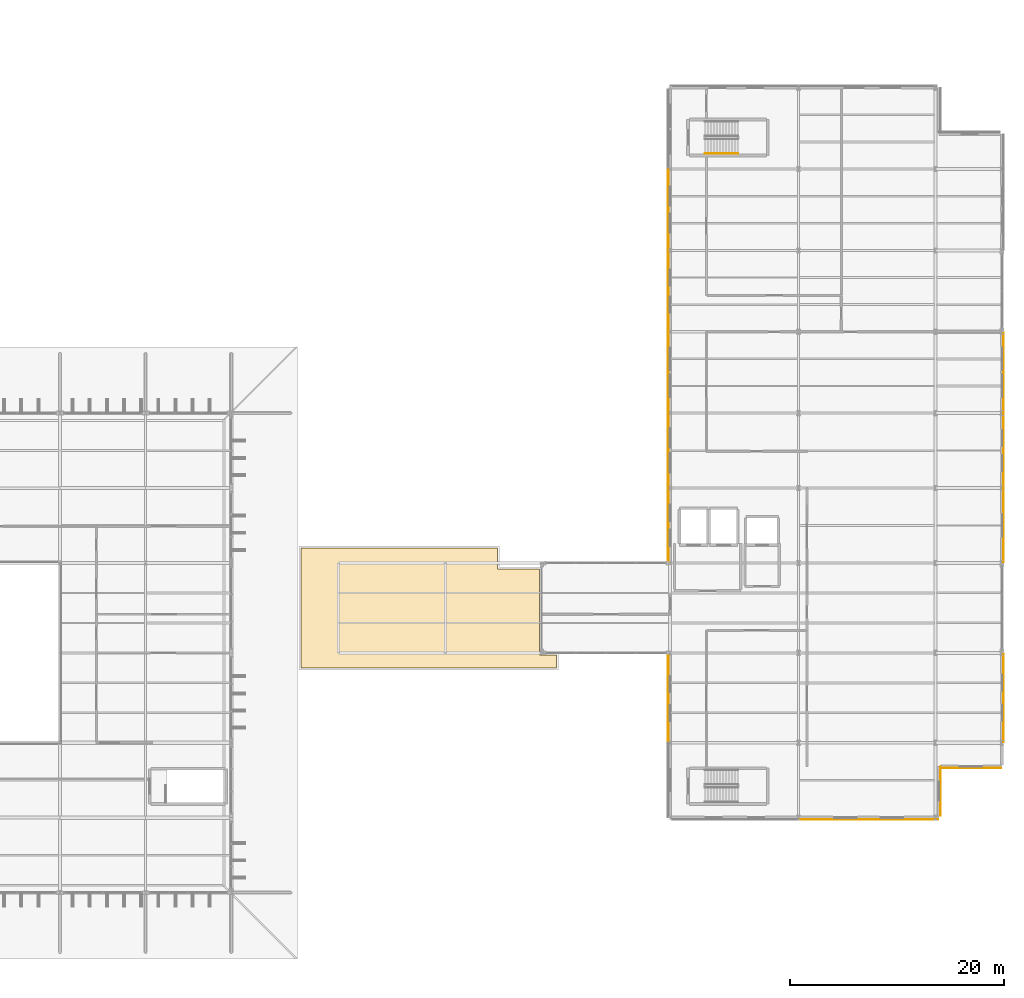
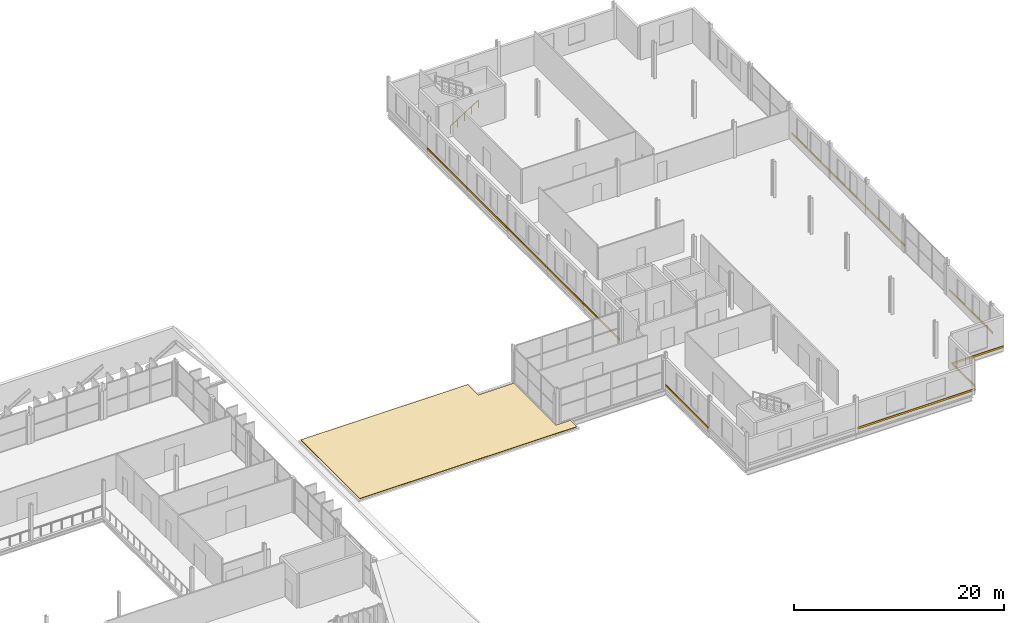
# One storey, part 92 of 93: 14 coverings, 1 railing.
"""IFC4 building model written with IfcOpenShell, lengths in metres."""

from ifc_helpers import new_model, si_unit, direction, frame, origin, origin_2d, place, context, subcontext, project, spatial, polyline, rectangle, circle, outline, extrude, material, layer, layer_set, type_object, element, save


model = new_model("IFC4")

# Units and contexts
model_context = context("Model", 3, precision=1e-05, world=origin(), true_north=direction((0.0, 1.0)))
body_context = subcontext(model_context, "Body", "Model", "MODEL_VIEW")
ifc_project = project(units=[si_unit("LENGTHUNIT", "METRE"), si_unit("AREAUNIT", "SQUARE_METRE"), si_unit("VOLUMEUNIT", "CUBIC_METRE"), si_unit("PLANEANGLEUNIT", "RADIAN"), si_unit("MASSUNIT", "GRAM", prefix="KILO")], contexts=[model_context])

# Site, building, storey
site_placement = place(None, origin())
site = spatial("IfcSite", under=ifc_project, at=site_placement, CompositionType="ELEMENT")
building_placement = place(site_placement, origin())
building = spatial("IfcBuilding", under=site, at=building_placement, Name="Vekula Escarpment Museum", CompositionType="ELEMENT")
storey_placement = place(building_placement, frame((0.0, 0.0, 22.199951171875)))
storey = spatial("IfcBuildingStorey", under=building, at=storey_placement, Name="L05", CompositionType="ELEMENT", Elevation=22.199951171875)

# Coverings
ifc_material_1 = material(Name="Polychrome limestone almasik string-course band", Category="masonry")
ifc_layer_1 = layer(ifc_material_1, 0.06005859375)
ifc_layer_set_1 = layer_set([ifc_layer_1], Name="Polychrome limestone almasik string-course band")
covering_type_1 = type_object("IfcCoveringType", Name="COV-ALM-BAND", PredefinedType="CLADDING", material=ifc_layer_set_1)
covering_1_placement = place(storey_placement, frame((166.833984375, 63.71044921875, 0.41015625), z_axis=(0.0, 0.0, 1.0), x_axis=(0.0, 1.0, 0.0)))
element("IfcCovering", 1, at=covering_1_placement, inside=storey, type_object=covering_type_1, Name="Almasik Stone String Course L05-0649", PredefinedType="CLADDING", context=body_context, shape_type="SweptSolid", body=[
    extrude(rectangle(XDim=8.10107421875, YDim=0.06005859375, at=origin_2d()), origin(), (0.0, 0.0, 1.0), 0.219970703125),
])
covering_2_placement = place(storey_placement, frame((185.554931640625, 52.43408203125, 0.41015625), z_axis=(0.0, 0.0, 1.0), x_axis=(1.0, 0.0, 0.0)))
element("IfcCovering", 2, at=covering_2_placement, inside=storey, type_object=covering_type_1, Name="Almasik Stone String Course L05-0652", PredefinedType="CLADDING", context=body_context, shape_type="SweptSolid", body=[
    extrude(rectangle(XDim=12.989990234375, YDim=0.06005859375, at=origin_2d()), origin(), (0.0, 0.0, 1.0), 0.219970703125),
])
covering_3_placement = place(storey_placement, frame((192.27587890625, 55.072021484375, 0.41015625), z_axis=(0.0, 0.0, 1.0), x_axis=(0.0, 1.0, 0.0)))
element("IfcCovering", 3, at=covering_3_placement, inside=storey, type_object=covering_type_1, Name="Almasik Stone String Course L05-0653", PredefinedType="CLADDING", context=body_context, shape_type="SweptSolid", body=[
    extrude(rectangle(XDim=4.535888671875, YDim=0.06005859375, at=origin_2d()), origin(), (0.0, 0.0, 1.0), 0.219970703125),
])
covering_4_placement = place(storey_placement, frame((195.126953125, 57.23388671875, 0.41015625), z_axis=(0.0, 0.0, 1.0), x_axis=(1.0, 0.0, 0.0)))
element("IfcCovering", 4, at=covering_4_placement, inside=storey, type_object=covering_type_1, Name="Almasik Stone String Course L05-0654", PredefinedType="CLADDING", context=body_context, shape_type="SweptSolid", body=[
    extrude(rectangle(XDim=5.6259765625, YDim=0.06005859375, at=origin_2d()), origin(), (0.0, 0.0, 1.0), 0.219970703125),
])
covering_5_placement = place(storey_placement, frame((198.166015625, 63.800048828125, 0.41015625), z_axis=(0.0, 0.0, 1.0), x_axis=(0.0, 1.0, 0.0)))
element("IfcCovering", 5, at=covering_5_placement, inside=storey, type_object=covering_type_1, Name="Almasik Stone String Course L05-0655", PredefinedType="CLADDING", context=body_context, shape_type="SweptSolid", body=[
    extrude(rectangle(XDim=8.280029296875, YDim=0.06005859375, at=origin_2d()), origin(), (0.0, 0.0, 1.0), 0.219970703125),
])
for number, where, z_axis, x_axis, name in (
    (6, (198.166015625, 79.89990234375, 0.41015625), (0.0, 0.0, 1.0), (0.0, 1.0, 0.0), "Almasik Stone String Course L05-0656"),
    (7, (198.166015625, 86.89990234375, 0.41015625), (0.0, 0.0, 1.0), (0.0, 1.0, 0.0), "Almasik Stone String Course L05-0657"),
):
    element("IfcCovering", number, at=place(storey_placement, frame(where, z_axis=z_axis, x_axis=x_axis)), inside=storey, type_object=covering_type_1, Name=name, PredefinedType="CLADDING", context=body_context, shape_type="SweptSolid", body=[
        extrude(rectangle(XDim=6.8798828125, YDim=0.06005859375, at=origin_2d()), origin(), (0.0, 0.0, 1.0), 0.219970703125),
    ])
for number, where, z_axis, x_axis, name in (
    (8, (198.166015625, 94.199951171875, 0.41015625), (0.0, 0.0, 1.0), (0.0, 1.0, 0.0), "Almasik Stone String Course L05-0658"),
    (9, (166.833984375, 109.39990234375, 0.41015625), (0.0, 0.0, 1.0), (0.0, 1.0, 0.0), "Almasik Stone String Course L05-0666"),
    (10, (166.833984375, 101.800048828125, 0.41015625), (0.0, 0.0, 1.0), (0.0, 1.0, 0.0), "Almasik Stone String Course L05-0667"),
    (11, (166.833984375, 94.199951171875, 0.41015625), (0.0, 0.0, 1.0), (0.0, 1.0, 0.0), "Almasik Stone String Course L05-0668"),
):
    element("IfcCovering", number, at=place(storey_placement, frame(where, z_axis=z_axis, x_axis=x_axis)), inside=storey, type_object=covering_type_1, Name=name, PredefinedType="CLADDING", context=body_context, shape_type="SweptSolid", body=[
        extrude(rectangle(XDim=7.47998046875, YDim=0.06005859375, at=origin_2d()), origin(), (0.0, 0.0, 1.0), 0.219970703125),
    ])
for number, where, z_axis, x_axis, name in (
    (12, (166.833984375, 86.89990234375, 0.41015625), (0.0, 0.0, 1.0), (0.0, 1.0, 0.0), "Almasik Stone String Course L05-0669"),
    (13, (166.833984375, 79.89990234375, 0.41015625), (0.0, 0.0, 1.0), (0.0, 1.0, 0.0), "Almasik Stone String Course L05-0670"),
):
    element("IfcCovering", number, at=place(storey_placement, frame(where, z_axis=z_axis, x_axis=x_axis)), inside=storey, type_object=covering_type_1, Name=name, PredefinedType="CLADDING", context=body_context, shape_type="SweptSolid", body=[
        extrude(rectangle(XDim=6.8798828125, YDim=0.06005859375, at=origin_2d()), origin(), (0.0, 0.0, 1.0), 0.219970703125),
    ])
ifc_material_2 = material(Name="Insulated TPO roof waterproofing membrane", Category="membrane")
ifc_layer_2 = layer(ifc_material_2, 0.080078125)
ifc_layer_set_2 = layer_set([ifc_layer_2], Name="Insulated TPO roof waterproofing membrane")
covering_type_2 = type_object("IfcCoveringType", Name="COV-ROOF-MEMB", PredefinedType="ROOFING", material=ifc_layer_set_2)
covering_6_placement = place(storey_placement, origin())
element("IfcCovering", 14, at=covering_6_placement, inside=storey, type_object=covering_type_2, Name="Overhanging Eave Roof Covering R-L05-V3ELK", PredefinedType="ROOFING", context=body_context, shape_type="SweptSolid", body=[
    extrude(outline(polyline([(150.885009765625, 77.820068359375), (150.885009765625, 75.820068359375), (154.7900390625, 75.820068359375), (154.7900390625, 67.7900390625), (156.3798828125, 67.7900390625), (156.3798828125, 66.580078125), (132.530029296875, 66.580078125), (132.530029296875, 77.820068359375), (150.885009765625, 77.820068359375)])), origin(), (0.0, 0.0, 1.0), 0.080078125),
])

# Railing
ifc_material_3 = material(Name="Brushed stainless steel handrail", Category="steel")
railing_type = type_object("IfcRailingType", Name="RL-STAIR-HAND", PredefinedType="HANDRAIL", material=ifc_material_3)
railing_placement = place(storey_placement, frame((170.25, 114.64990234375, 0.175048828125)))
element("IfcRailing", 15, at=railing_placement, inside=storey, type_object=railing_type, Name="L05 ST-05 stair handrail 1", PredefinedType="HANDRAIL", context=body_context, shape_type="SweptSolid", body=[
    extrude(circle(Radius=0.02392578125, at=origin_2d()), frame((0.0, 0.0, 0.8759765625), z_axis=(0.847998304005, 0.0, 0.529998940003), x_axis=(0.0, 1.0, 0.0)), (0.0, 0.0, 1.0), 3.632080078125),
    extrude(circle(Radius=0.02099609375, at=origin_2d()), origin(), (0.0, 0.0, 1.0), 0.851806640625),
    extrude(circle(Radius=0.02099609375, at=origin_2d()), frame((0.77001953125, 0.0, 0.481201171875)), (0.0, 0.0, 1.0), 0.851806640625),
    extrude(circle(Radius=0.02099609375, at=origin_2d()), frame((1.5400390625, 0.0, 0.96240234375)), (0.0, 0.0, 1.0), 0.851806640625),
    extrude(circle(Radius=0.02099609375, at=origin_2d()), frame((2.31005859375, 0.0, 1.44384765625)), (0.0, 0.0, 1.0), 0.851806640625),
    extrude(circle(Radius=0.02099609375, at=origin_2d()), frame((3.080078125, 0.0, 1.925048828125)), (0.0, 0.0, 1.0), 0.851806640625),
])

save(model, "model.ifc")
